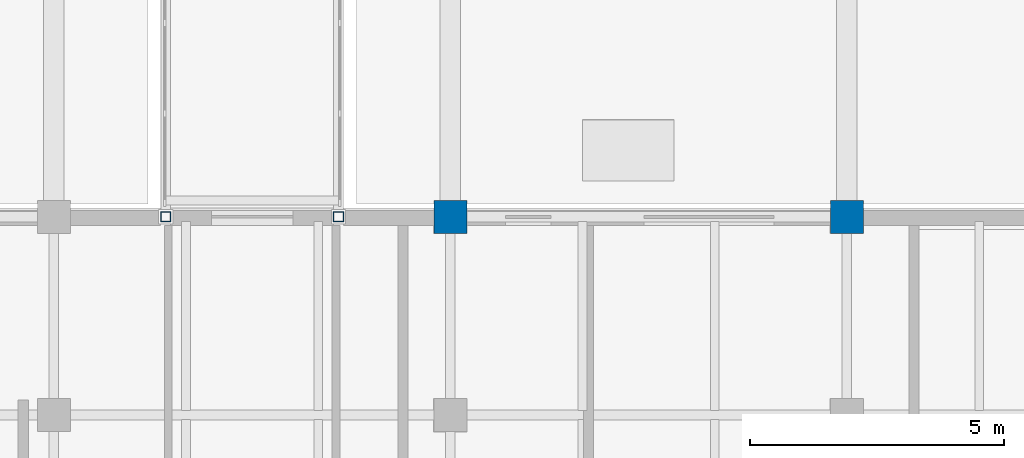
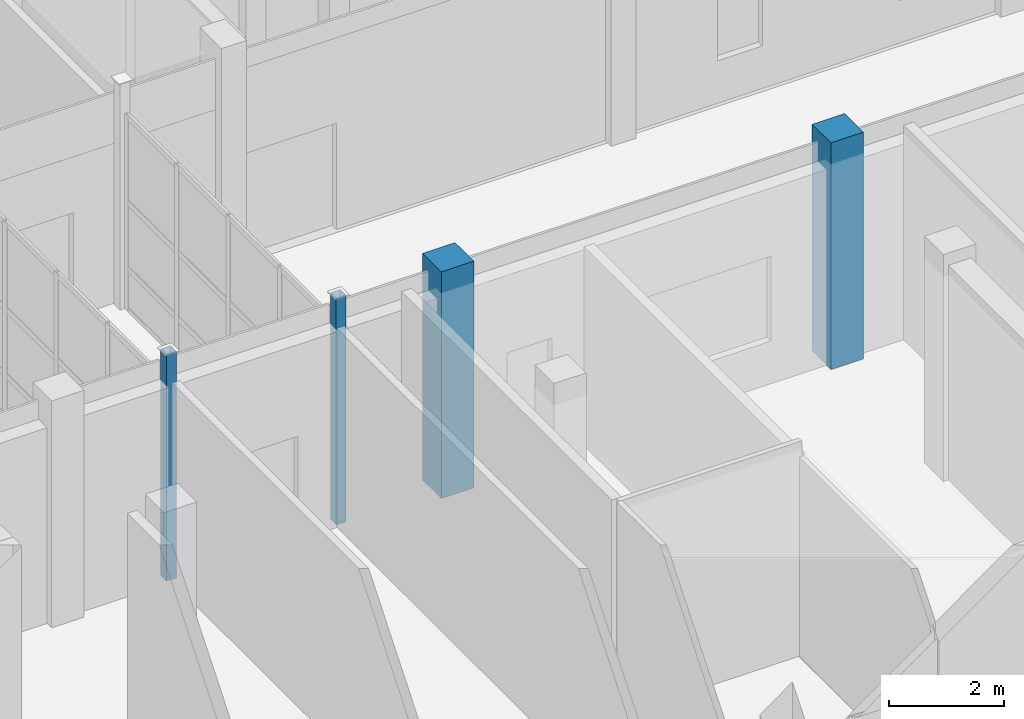
# One storey, part 2 of 131: 4 columns.
"""IFC4 building model written with IfcOpenShell, lengths in metres."""

from ifc_helpers import new_model, si_unit, direction, frame, origin, origin_2d, place, context, subcontext, project, spatial, rectangle, hollow_rectangle, extrude, material, material_profile, profile_set, type_object, element, save


model = new_model("IFC4")

# Units and contexts
model_context = context("Model", 3, precision=1e-05, world=origin(), true_north=direction((0.0, 1.0)))
body_context = subcontext(model_context, "Body", "Model", "MODEL_VIEW")
ifc_project = project(units=[si_unit("LENGTHUNIT", "METRE"), si_unit("AREAUNIT", "SQUARE_METRE"), si_unit("VOLUMEUNIT", "CUBIC_METRE"), si_unit("PLANEANGLEUNIT", "RADIAN"), si_unit("MASSUNIT", "GRAM", prefix="KILO")], contexts=[model_context])

# Site, building, storey
site_placement = place(None, origin())
site = spatial("IfcSite", under=ifc_project, at=site_placement, CompositionType="ELEMENT")
building_placement = place(site_placement, origin())
building = spatial("IfcBuilding", under=site, at=building_placement, Name="Celorna Specialist Clinic", CompositionType="ELEMENT")
storey_placement = place(building_placement, origin())
storey = spatial("IfcBuildingStorey", under=building, at=storey_placement, Name="L00", CompositionType="ELEMENT", Elevation=0.0)

# Columns
ifc_material_1 = material(Name="Concrete C40/50", Category="concrete")
ifc_material_profile_1 = material_profile(ifc_material_1, rectangle(XDim=0.64990234375, YDim=0.64990234375, at=origin_2d()), Name="RC 650x650")
ifc_profile_set_1 = profile_set([ifc_material_profile_1], Name="Concrete C40/50")
column_type_1 = type_object("IfcColumnType", Name="CT-03", PredefinedType="COLUMN", material=ifc_profile_set_1)
for number, where, z_axis, x_axis, name in (
    (1, (23.39990234375, 27.300048828125, 0.0), (0.0, 0.0, 1.0), (1.0, 0.0, 0.0), "Column CT-03 L00 X04/YF"),
    (2, (31.199951171875, 27.300048828125, 0.0), (0.0, 0.0, 1.0), (1.0, 0.0, 0.0), "Column CT-03 L00 X05/YF"),
):
    element("IfcColumn", number, at=place(storey_placement, frame(where, z_axis=z_axis, x_axis=x_axis)), inside=storey, type_object=column_type_1, Name=name, PredefinedType="COLUMN", context=body_context, shape_type="SweptSolid", body=[
        extrude(rectangle(XDim=0.64990234375, YDim=0.64990234375, at=origin_2d()), origin(), (0.0, 0.0, 1.0), 4.800048828125),
    ])
ifc_material_2 = material(Name="Steel S355", Category="steel")
ifc_material_profile_2 = material_profile(ifc_material_2, hollow_rectangle(XDim=0.199951171875, YDim=0.199951171875, WallThickness=0.010009765625, at=origin_2d()), Name="SHS 200x200x10")
ifc_profile_set_2 = profile_set([ifc_material_profile_2], Name="Steel S355")
column_type_2 = type_object("IfcColumnType", Name="CT-15", PredefinedType="COLUMN", material=ifc_profile_set_2)
for number, where, z_axis, x_axis, name in (
    (3, (17.800048828125, 27.300048828125, 0.0), (0.0, 0.0, 1.0), (1.0, 0.0, 0.0), "Column CT-15 L00 X03/YF"),
    (4, (21.199951171875, 27.300048828125, 0.0), (0.0, 0.0, 1.0), (1.0, 0.0, 0.0), "Column CT-15 L00 X04/YF"),
):
    element("IfcColumn", number, at=place(storey_placement, frame(where, z_axis=z_axis, x_axis=x_axis)), inside=storey, type_object=column_type_2, Name=name, PredefinedType="COLUMN", context=body_context, shape_type="SweptSolid", body=[
        extrude(hollow_rectangle(XDim=0.199951171875, YDim=0.199951171875, WallThickness=0.010009765625, at=origin_2d()), origin(), (0.0, 0.0, 1.0), 4.800048828125),
    ])

save(model, "model.ifc")
